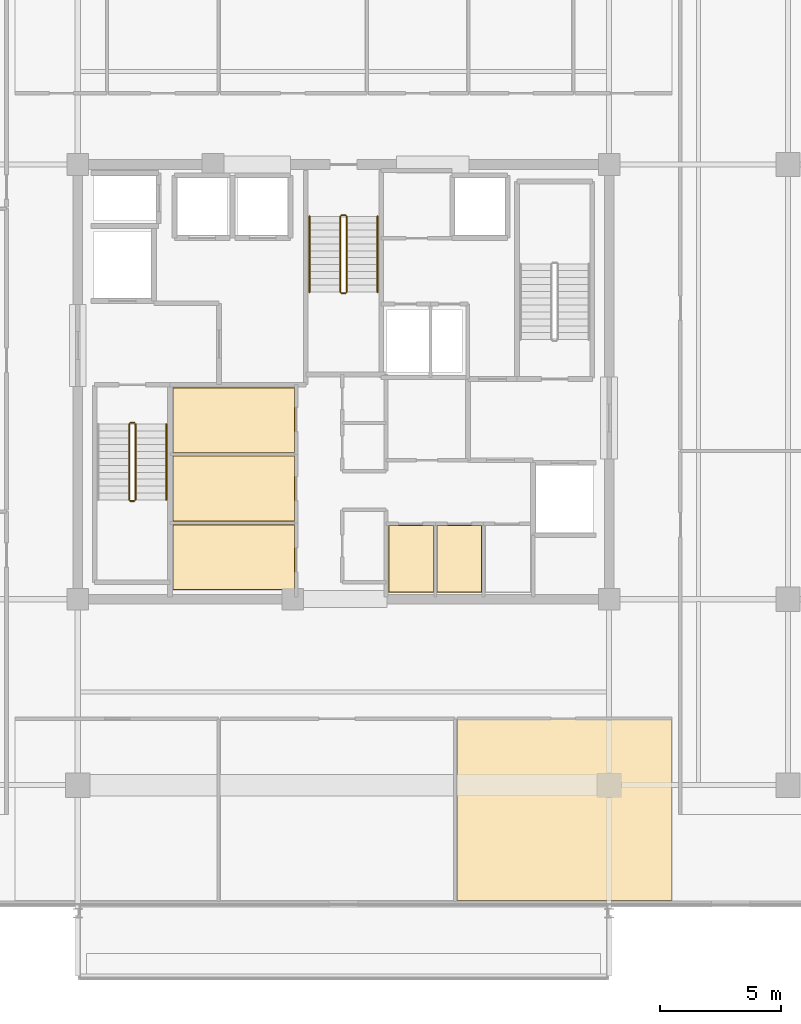
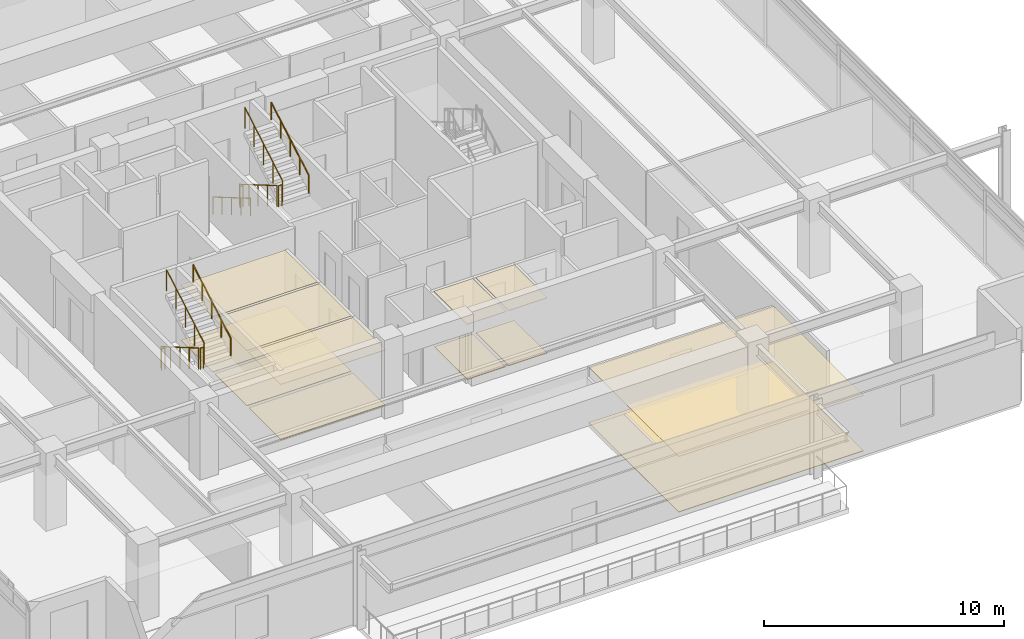
# One storey, part 18 of 20: 12 coverings, 11 railings.
"""IFC4 building model written with IfcOpenShell, lengths in metres."""

from ifc_helpers import new_model, si_unit, direction, frame, origin, origin_2d, place, context, subcontext, project, spatial, polyline, circle, outline, extrude, material, layer, layer_set, type_object, element, save


model = new_model("IFC4")

# Units and contexts
model_context = context("Model", 3, precision=1e-05, world=origin(), true_north=direction((0.0, 1.0)))
body_context = subcontext(model_context, "Body", "Model", "MODEL_VIEW")
ifc_project = project(units=[si_unit("LENGTHUNIT", "METRE"), si_unit("AREAUNIT", "SQUARE_METRE"), si_unit("VOLUMEUNIT", "CUBIC_METRE"), si_unit("PLANEANGLEUNIT", "RADIAN"), si_unit("MASSUNIT", "GRAM", prefix="KILO")], contexts=[model_context])

# Site, building, storey
site_placement = place(None, origin())
site = spatial("IfcSite", under=ifc_project, at=site_placement, CompositionType="ELEMENT")
building_placement = place(site_placement, origin())
building = spatial("IfcBuilding", under=site, at=building_placement, Name="Kovane Verandah Tower", CompositionType="ELEMENT")
storey_placement = place(building_placement, frame((0.0, 0.0, 318.800048828125)))
storey = spatial("IfcBuildingStorey", under=building, at=storey_placement, Name="L74", CompositionType="ELEMENT", Elevation=318.800048828125)

# Coverings
ifc_material_1 = material(Name="Perforated Acoustic Mineral-Fibre Ceiling Tile", Category="gypsum")
ifc_layer_1 = layer(ifc_material_1, 0.02490234375)
ifc_layer_set_1 = layer_set([ifc_layer_1], Name="Perforated Acoustic Mineral-Fibre Ceiling Tile")
covering_type_1 = type_object("IfcCoveringType", Name="CV-CEIL-25", PredefinedType="CEILING", material=ifc_layer_set_1)
covering_1_placement = place(storey_placement, frame((0.0, 0.0, 2.824951171875)))
element("IfcCovering", 1, at=covering_1_placement, inside=storey, type_object=covering_type_1, Name="L74 Project Archive Room Acoustic Ceiling", PredefinedType="CEILING", context=body_context, shape_type="SweptSolid", body=[
    extrude(outline(polyline([(32.93505859375, 18.885009765625), (37.9951171875, 18.885009765625), (37.9951171875, 21.594970703125), (32.93505859375, 21.594970703125), (32.93505859375, 18.885009765625)])), origin(), (0.0, 0.0, 1.0), 0.02490234375),
])
covering_2_placement = place(storey_placement, frame((0.0, 0.0, 2.824951171875)))
element("IfcCovering", 2, at=covering_2_placement, inside=storey, type_object=covering_type_1, Name="L74 First Aid and Wellness Room Acoustic Ceiling", PredefinedType="CEILING", context=body_context, shape_type="SweptSolid", body=[
    extrude(outline(polyline([(32.93505859375, 21.72509765625), (37.9951171875, 21.72509765625), (37.9951171875, 24.43505859375), (32.93505859375, 24.43505859375), (32.93505859375, 21.72509765625)])), origin(), (0.0, 0.0, 1.0), 0.02490234375),
])
covering_3_placement = place(storey_placement, frame((0.0, 0.0, 2.824951171875)))
element("IfcCovering", 3, at=covering_3_placement, inside=storey, type_object=covering_type_1, Name="L74 Tea and Copy Hub Acoustic Ceiling", PredefinedType="CEILING", context=body_context, shape_type="SweptSolid", body=[
    extrude(outline(polyline([(32.93505859375, 24.56494140625), (37.9951171875, 24.56494140625), (37.9951171875, 27.264892578125), (32.93505859375, 27.264892578125), (32.93505859375, 24.56494140625)])), origin(), (0.0, 0.0, 1.0), 0.02490234375),
])
covering_4_placement = place(storey_placement, frame((0.0, 0.0, 2.824951171875)))
element("IfcCovering", 4, at=covering_4_placement, inside=storey, type_object=covering_type_1, Name="L74 Mail and Copy Room Acoustic Ceiling", PredefinedType="CEILING", context=body_context, shape_type="SweptSolid", body=[
    extrude(outline(polyline([(41.864990234375, 18.784912109375), (43.735107421875, 18.784912109375), (43.735107421875, 21.56494140625), (41.864990234375, 21.56494140625), (41.864990234375, 18.784912109375)])), origin(), (0.0, 0.0, 1.0), 0.02490234375),
])
covering_5_placement = place(storey_placement, frame((0.0, 0.0, 2.824951171875)))
element("IfcCovering", 5, at=covering_5_placement, inside=storey, type_object=covering_type_1, Name="L74 First Aid Room Acoustic Ceiling", PredefinedType="CEILING", context=body_context, shape_type="SweptSolid", body=[
    extrude(outline(polyline([(43.864990234375, 18.784912109375), (45.735107421875, 18.784912109375), (45.735107421875, 21.56494140625), (43.864990234375, 21.56494140625), (43.864990234375, 18.784912109375)])), origin(), (0.0, 0.0, 1.0), 0.02490234375),
])
covering_6_placement = place(storey_placement, frame((0.0, 0.0, 2.824951171875)))
element("IfcCovering", 6, at=covering_6_placement, inside=storey, type_object=covering_type_1, Name="L74 Meeting Room S3 Acoustic Ceiling", PredefinedType="CEILING", context=body_context, shape_type="SweptSolid", body=[
    extrude(outline(polyline([(44.694091796875, 6.0341796875), (53.60009765625, 6.0341796875), (53.60009765625, 13.550048828125), (44.694091796875, 13.550048828125), (44.694091796875, 6.0341796875)])), origin(), (0.0, 0.0, 1.0), 0.02490234375),
])
ifc_material_2 = material(Name="Polished Terrazzo and Raised-Access Carpet Tile Finish", Category="concrete")
ifc_layer_2 = layer(ifc_material_2, 0.030029296875)
ifc_layer_set_2 = layer_set([ifc_layer_2], Name="Polished Terrazzo and Raised-Access Carpet Tile Finish")
covering_type_2 = type_object("IfcCoveringType", Name="CV-FLOR-30", PredefinedType="FLOORING", material=ifc_layer_set_2)
covering_7_placement = place(storey_placement, origin())
element("IfcCovering", 7, at=covering_7_placement, inside=storey, type_object=covering_type_2, Name="L74 Project Archive Room Floor Finish", PredefinedType="FLOORING", context=body_context, shape_type="SweptSolid", body=[
    extrude(outline(polyline([(32.949951171875, 18.89990234375), (37.97998046875, 18.89990234375), (37.97998046875, 21.580078125), (32.949951171875, 21.580078125), (32.949951171875, 18.89990234375)])), origin(), (0.0, 0.0, 1.0), 0.030029296875),
])
covering_8_placement = place(storey_placement, origin())
element("IfcCovering", 8, at=covering_8_placement, inside=storey, type_object=covering_type_2, Name="L74 First Aid and Wellness Room Floor Finish", PredefinedType="FLOORING", context=body_context, shape_type="SweptSolid", body=[
    extrude(outline(polyline([(32.949951171875, 21.739990234375), (37.97998046875, 21.739990234375), (37.97998046875, 24.419921875), (32.949951171875, 24.419921875), (32.949951171875, 21.739990234375)])), origin(), (0.0, 0.0, 1.0), 0.030029296875),
])
covering_9_placement = place(storey_placement, origin())
element("IfcCovering", 9, at=covering_9_placement, inside=storey, type_object=covering_type_2, Name="L74 Tea and Copy Hub Floor Finish", PredefinedType="FLOORING", context=body_context, shape_type="SweptSolid", body=[
    extrude(outline(polyline([(32.949951171875, 24.580078125), (37.97998046875, 24.580078125), (37.97998046875, 27.25), (32.949951171875, 27.25), (32.949951171875, 24.580078125)])), origin(), (0.0, 0.0, 1.0), 0.030029296875),
])
covering_10_placement = place(storey_placement, origin())
element("IfcCovering", 10, at=covering_10_placement, inside=storey, type_object=covering_type_2, Name="L74 Mail and Copy Room Floor Finish", PredefinedType="FLOORING", context=body_context, shape_type="SweptSolid", body=[
    extrude(outline(polyline([(41.8798828125, 18.800048828125), (43.719970703125, 18.800048828125), (43.719970703125, 21.550048828125), (41.8798828125, 21.550048828125), (41.8798828125, 18.800048828125)])), origin(), (0.0, 0.0, 1.0), 0.030029296875),
])
covering_11_placement = place(storey_placement, origin())
element("IfcCovering", 11, at=covering_11_placement, inside=storey, type_object=covering_type_2, Name="L74 First Aid Room Floor Finish", PredefinedType="FLOORING", context=body_context, shape_type="SweptSolid", body=[
    extrude(outline(polyline([(43.8798828125, 18.800048828125), (45.719970703125, 18.800048828125), (45.719970703125, 21.550048828125), (43.8798828125, 21.550048828125), (43.8798828125, 18.800048828125)])), origin(), (0.0, 0.0, 1.0), 0.030029296875),
])
covering_12_placement = place(storey_placement, origin())
element("IfcCovering", 12, at=covering_12_placement, inside=storey, type_object=covering_type_2, Name="L74 Meeting Room S3 Floor Finish", PredefinedType="FLOORING", context=body_context, shape_type="SweptSolid", body=[
    extrude(outline(polyline([(44.694091796875, 6.0341796875), (53.60009765625, 6.0341796875), (53.60009765625, 13.550048828125), (44.694091796875, 13.550048828125), (44.694091796875, 6.0341796875)])), origin(), (0.0, 0.0, 1.0), 0.030029296875),
])

# Railings
ifc_material_3 = material(Name="Brushed Stainless Steel Handrail", Category="steel")
railing_type_1 = type_object("IfcRailingType", Name="RL-HAND-920", PredefinedType="HANDRAIL", material=ifc_material_3)
railing_1_placement = place(storey_placement, frame((32.669921875, 22.614990234375, 2.16650390625)))
element("IfcRailing", 13, at=railing_1_placement, inside=storey, type_object=railing_type_1, Name="L74 ST-01 stair handrail 2", PredefinedType="HANDRAIL", context=body_context, shape_type="SweptSolid", body=[
    extrude(circle(Radius=0.02392578125, at=origin_2d()), frame((0.0, 0.0, 0.8759765625), z_axis=(0.0, 0.863210265497, 0.504844567704), x_axis=(-1.0, 0.0, 0.0)), (0.0, 0.0, 1.0), 3.6318359375),
    extrude(circle(Radius=0.02099609375, at=origin_2d()), origin(), (0.0, 0.0, 1.0), 0.851806640625),
    extrude(circle(Radius=0.02099609375, at=origin_2d()), frame((0.0, 0.78369140625, 0.45849609375)), (0.0, 0.0, 1.0), 0.851806640625),
    extrude(circle(Radius=0.02099609375, at=origin_2d()), frame((0.0, 1.5673828125, 0.916748046875)), (0.0, 0.0, 1.0), 0.851806640625),
    extrude(circle(Radius=0.02099609375, at=origin_2d()), frame((0.0, 2.351318359375, 1.375)), (0.0, 0.0, 1.0), 0.851806640625),
    extrude(circle(Radius=0.02099609375, at=origin_2d()), frame((0.0, 3.135009765625, 1.83349609375)), (0.0, 0.0, 1.0), 0.851806640625),
])
railing_2_placement = place(storey_placement, frame((38.590087890625, 34.35009765625, 0.16650390625)))
element("IfcRailing", 14, at=railing_2_placement, inside=storey, type_object=railing_type_1, Name="L74 ST-03 stair handrail 1", PredefinedType="HANDRAIL", context=body_context, shape_type="SweptSolid", body=[
    extrude(circle(Radius=0.02392578125, at=origin_2d()), frame((0.0, 0.0, 0.8759765625), z_axis=(0.0, -0.863210265497, 0.504844567704), x_axis=(1.0, 0.0, 0.0)), (0.0, 0.0, 1.0), 3.6318359375),
    extrude(circle(Radius=0.02099609375, at=origin_2d()), origin(), (0.0, 0.0, 1.0), 0.851806640625),
    extrude(circle(Radius=0.02099609375, at=origin_2d()), frame((0.0, -0.78369140625, 0.45849609375)), (0.0, 0.0, 1.0), 0.851806640625),
    extrude(circle(Radius=0.02099609375, at=origin_2d()), frame((0.0, -1.5673828125, 0.916748046875)), (0.0, 0.0, 1.0), 0.851806640625),
    extrude(circle(Radius=0.02099609375, at=origin_2d()), frame((0.0, -2.351318359375, 1.375)), (0.0, 0.0, 1.0), 0.851806640625),
    extrude(circle(Radius=0.02099609375, at=origin_2d()), frame((0.0, -3.135009765625, 1.83349609375)), (0.0, 0.0, 1.0), 0.851806640625),
])
railing_3_placement = place(storey_placement, frame((41.409912109375, 31.215087890625, 2.16650390625)))
element("IfcRailing", 15, at=railing_3_placement, inside=storey, type_object=railing_type_1, Name="L74 ST-03 stair handrail 2", PredefinedType="HANDRAIL", context=body_context, shape_type="SweptSolid", body=[
    extrude(circle(Radius=0.02392578125, at=origin_2d()), frame((0.0, 0.0, 0.8759765625), z_axis=(0.0, 0.863210265497, 0.504844567704), x_axis=(-1.0, 0.0, 0.0)), (0.0, 0.0, 1.0), 3.6318359375),
    extrude(circle(Radius=0.02099609375, at=origin_2d()), origin(), (0.0, 0.0, 1.0), 0.851806640625),
    extrude(circle(Radius=0.02099609375, at=origin_2d()), frame((0.0, 0.78369140625, 0.45849609375)), (0.0, 0.0, 1.0), 0.851806640625),
    extrude(circle(Radius=0.02099609375, at=origin_2d()), frame((0.0, 1.5673828125, 0.916748046875)), (0.0, 0.0, 1.0), 0.851806640625),
    extrude(circle(Radius=0.02099609375, at=origin_2d()), frame((0.0, 2.351318359375, 1.375)), (0.0, 0.0, 1.0), 0.851806640625),
    extrude(circle(Radius=0.02099609375, at=origin_2d()), frame((0.0, 3.135009765625, 1.83349609375)), (0.0, 0.0, 1.0), 0.851806640625),
])
ifc_material_4 = material(Name="Painted Steel Stairwell Guardrail", Category="steel")
railing_type_2 = type_object("IfcRailingType", Name="RL-STGUARD-1120", PredefinedType="GUARDRAIL", material=ifc_material_4)
railing_4_placement = place(storey_placement, frame((31.1298828125, 25.75, 0.16650390625)))
element("IfcRailing", 16, at=railing_4_placement, inside=storey, type_object=railing_type_2, Name="L74 ST-01 stair guard 1", PredefinedType="GUARDRAIL", context=body_context, shape_type="SweptSolid", body=[
    extrude(circle(Radius=0.02392578125, at=origin_2d()), frame((0.0, 0.0, 1.076171875), z_axis=(0.0, -0.863210265497, 0.504844567704), x_axis=(1.0, 0.0, 0.0)), (0.0, 0.0, 1.0), 3.6318359375),
    extrude(circle(Radius=0.02099609375, at=origin_2d()), origin(), (0.0, 0.0, 1.0), 1.052001953125),
    extrude(circle(Radius=0.02099609375, at=origin_2d()), frame((0.0, -0.78369140625, 0.45849609375)), (0.0, 0.0, 1.0), 1.052001953125),
    extrude(circle(Radius=0.02099609375, at=origin_2d()), frame((0.0, -1.5673828125, 0.916748046875)), (0.0, 0.0, 1.0), 1.052001953125),
    extrude(circle(Radius=0.02099609375, at=origin_2d()), frame((0.0, -2.351318359375, 1.375)), (0.0, 0.0, 1.0), 1.052001953125),
    extrude(circle(Radius=0.02099609375, at=origin_2d()), frame((0.0, -3.135009765625, 1.83349609375)), (0.0, 0.0, 1.0), 1.052001953125),
])
railing_5_placement = place(storey_placement, frame((31.179931640625, 22.56494140625, 2.0)))
element("IfcRailing", 17, at=railing_5_placement, inside=storey, type_object=railing_type_2, Name="L74 ST-01 stair guard 2", PredefinedType="GUARDRAIL", context=body_context, shape_type="SweptSolid", body=[
    extrude(circle(Radius=0.02392578125, at=origin_2d()), frame((0.0, 0.0, 1.076171875), z_axis=(1.0, 0.0, 0.0), x_axis=(0.0, 1.0, 0.0)), (0.0, 0.0, 1.0), 0.16015625),
    extrude(circle(Radius=0.02099609375, at=origin_2d()), origin(), (0.0, 0.0, 1.0), 1.052001953125),
    extrude(circle(Radius=0.02099609375, at=origin_2d()), frame((0.16015625, 0.0, 0.0)), (0.0, 0.0, 1.0), 1.052001953125),
])
railing_6_placement = place(storey_placement, frame((31.389892578125, 22.614990234375, 2.16650390625)))
element("IfcRailing", 18, at=railing_6_placement, inside=storey, type_object=railing_type_2, Name="L74 ST-01 stair guard 3", PredefinedType="GUARDRAIL", context=body_context, shape_type="SweptSolid", body=[
    extrude(circle(Radius=0.02392578125, at=origin_2d()), frame((0.0, 0.0, 1.076171875), z_axis=(0.0, 0.863210265497, 0.504844567704), x_axis=(-1.0, 0.0, 0.0)), (0.0, 0.0, 1.0), 3.6318359375),
    extrude(circle(Radius=0.02099609375, at=origin_2d()), origin(), (0.0, 0.0, 1.0), 1.052001953125),
    extrude(circle(Radius=0.02099609375, at=origin_2d()), frame((0.0, 0.78369140625, 0.45849609375)), (0.0, 0.0, 1.0), 1.052001953125),
    extrude(circle(Radius=0.02099609375, at=origin_2d()), frame((0.0, 1.5673828125, 0.916748046875)), (0.0, 0.0, 1.0), 1.052001953125),
    extrude(circle(Radius=0.02099609375, at=origin_2d()), frame((0.0, 2.351318359375, 1.375)), (0.0, 0.0, 1.0), 1.052001953125),
    extrude(circle(Radius=0.02099609375, at=origin_2d()), frame((0.0, 3.135009765625, 1.83349609375)), (0.0, 0.0, 1.0), 1.052001953125),
])
railing_7_placement = place(storey_placement, frame((31.179931640625, 25.800048828125, 0.0)))
element("IfcRailing", 19, at=railing_7_placement, inside=storey, type_object=railing_type_2, Name="L74 ST-01 stair guard 4", PredefinedType="GUARDRAIL", context=body_context, shape_type="SweptSolid", body=[
    extrude(circle(Radius=0.02392578125, at=origin_2d()), frame((0.0, 0.0, 1.076171875), z_axis=(1.0, 0.0, 0.0), x_axis=(0.0, 1.0, 0.0)), (0.0, 0.0, 1.0), 0.16015625),
    extrude(circle(Radius=0.02099609375, at=origin_2d()), origin(), (0.0, 0.0, 1.0), 1.052001953125),
    extrude(circle(Radius=0.02099609375, at=origin_2d()), frame((0.16015625, 0.0, 0.0)), (0.0, 0.0, 1.0), 1.052001953125),
])
railing_8_placement = place(storey_placement, frame((39.8701171875, 34.35009765625, 0.16650390625)))
element("IfcRailing", 20, at=railing_8_placement, inside=storey, type_object=railing_type_2, Name="L74 ST-03 stair guard 1", PredefinedType="GUARDRAIL", context=body_context, shape_type="SweptSolid", body=[
    extrude(circle(Radius=0.02392578125, at=origin_2d()), frame((0.0, 0.0, 1.076171875), z_axis=(0.0, -0.863210265497, 0.504844567704), x_axis=(1.0, 0.0, 0.0)), (0.0, 0.0, 1.0), 3.6318359375),
    extrude(circle(Radius=0.02099609375, at=origin_2d()), origin(), (0.0, 0.0, 1.0), 1.052001953125),
    extrude(circle(Radius=0.02099609375, at=origin_2d()), frame((0.0, -0.78369140625, 0.45849609375)), (0.0, 0.0, 1.0), 1.052001953125),
    extrude(circle(Radius=0.02099609375, at=origin_2d()), frame((0.0, -1.5673828125, 0.916748046875)), (0.0, 0.0, 1.0), 1.052001953125),
    extrude(circle(Radius=0.02099609375, at=origin_2d()), frame((0.0, -2.351318359375, 1.375)), (0.0, 0.0, 1.0), 1.052001953125),
    extrude(circle(Radius=0.02099609375, at=origin_2d()), frame((0.0, -3.135009765625, 1.83349609375)), (0.0, 0.0, 1.0), 1.052001953125),
])
railing_9_placement = place(storey_placement, frame((39.919921875, 31.1650390625, 2.0)))
element("IfcRailing", 21, at=railing_9_placement, inside=storey, type_object=railing_type_2, Name="L74 ST-03 stair guard 2", PredefinedType="GUARDRAIL", context=body_context, shape_type="SweptSolid", body=[
    extrude(circle(Radius=0.02392578125, at=origin_2d()), frame((0.0, 0.0, 1.076171875), z_axis=(1.0, 0.0, 0.0), x_axis=(0.0, 1.0, 0.0)), (0.0, 0.0, 1.0), 0.16015625),
    extrude(circle(Radius=0.02099609375, at=origin_2d()), origin(), (0.0, 0.0, 1.0), 1.052001953125),
    extrude(circle(Radius=0.02099609375, at=origin_2d()), frame((0.16015625, 0.0, 0.0)), (0.0, 0.0, 1.0), 1.052001953125),
])
railing_10_placement = place(storey_placement, frame((40.1298828125, 31.215087890625, 2.16650390625)))
element("IfcRailing", 22, at=railing_10_placement, inside=storey, type_object=railing_type_2, Name="L74 ST-03 stair guard 3", PredefinedType="GUARDRAIL", context=body_context, shape_type="SweptSolid", body=[
    extrude(circle(Radius=0.02392578125, at=origin_2d()), frame((0.0, 0.0, 1.076171875), z_axis=(0.0, 0.863210265497, 0.504844567704), x_axis=(-1.0, 0.0, 0.0)), (0.0, 0.0, 1.0), 3.6318359375),
    extrude(circle(Radius=0.02099609375, at=origin_2d()), origin(), (0.0, 0.0, 1.0), 1.052001953125),
    extrude(circle(Radius=0.02099609375, at=origin_2d()), frame((0.0, 0.78369140625, 0.45849609375)), (0.0, 0.0, 1.0), 1.052001953125),
    extrude(circle(Radius=0.02099609375, at=origin_2d()), frame((0.0, 1.5673828125, 0.916748046875)), (0.0, 0.0, 1.0), 1.052001953125),
    extrude(circle(Radius=0.02099609375, at=origin_2d()), frame((0.0, 2.351318359375, 1.375)), (0.0, 0.0, 1.0), 1.052001953125),
    extrude(circle(Radius=0.02099609375, at=origin_2d()), frame((0.0, 3.135009765625, 1.83349609375)), (0.0, 0.0, 1.0), 1.052001953125),
])
railing_11_placement = place(storey_placement, frame((39.919921875, 34.39990234375, 0.0)))
element("IfcRailing", 23, at=railing_11_placement, inside=storey, type_object=railing_type_2, Name="L74 ST-03 stair guard 4", PredefinedType="GUARDRAIL", context=body_context, shape_type="SweptSolid", body=[
    extrude(circle(Radius=0.02392578125, at=origin_2d()), frame((0.0, 0.0, 1.076171875), z_axis=(1.0, 0.0, 0.0), x_axis=(0.0, 1.0, 0.0)), (0.0, 0.0, 1.0), 0.16015625),
    extrude(circle(Radius=0.02099609375, at=origin_2d()), origin(), (0.0, 0.0, 1.0), 1.052001953125),
    extrude(circle(Radius=0.02099609375, at=origin_2d()), frame((0.16015625, 0.0, 0.0)), (0.0, 0.0, 1.0), 1.052001953125),
])

save(model, "model.ifc")
